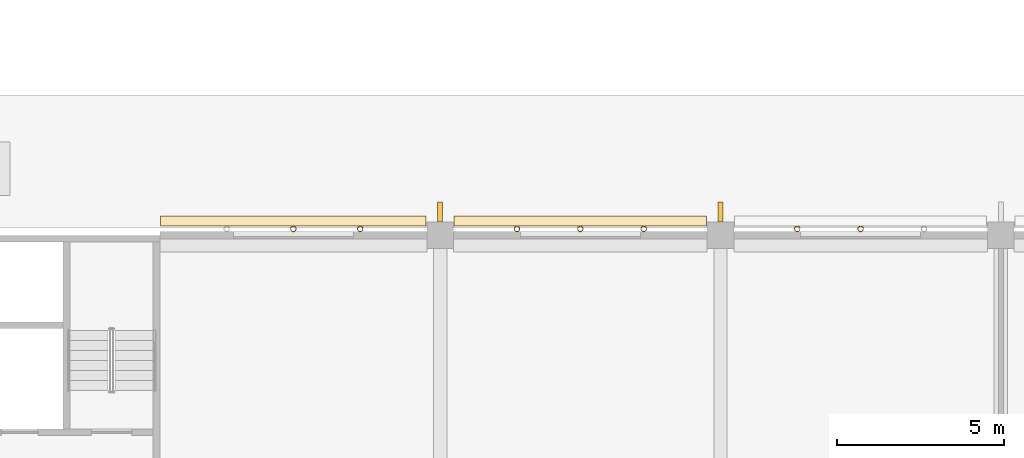
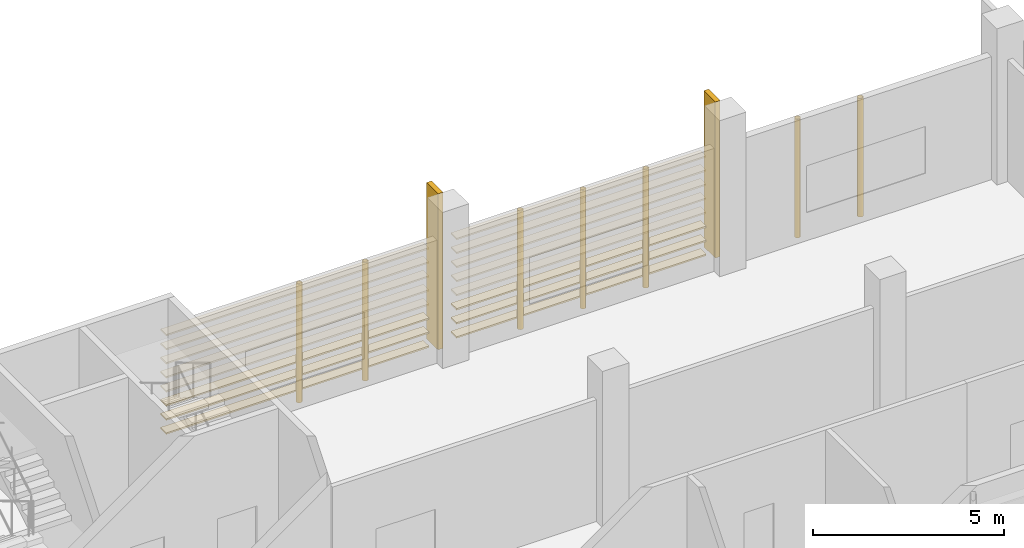
# One storey, part 70 of 101: 16 coverings, 9 shading devices.
"""IFC4 building model written with IfcOpenShell, lengths in metres."""

from ifc_helpers import new_model, si_unit, direction, frame, origin, origin_2d, place, context, subcontext, project, spatial, rectangle, hollow_circle, extrude, material, material_profile, profile_set, type_object, element, save


model = new_model("IFC4")

# Units and contexts
model_context = context("Model", 3, precision=1e-05, world=origin(), true_north=direction((0.0, 1.0)))
body_context = subcontext(model_context, "Body", "Model", "MODEL_VIEW")
ifc_project = project(units=[si_unit("LENGTHUNIT", "METRE"), si_unit("AREAUNIT", "SQUARE_METRE"), si_unit("VOLUMEUNIT", "CUBIC_METRE"), si_unit("PLANEANGLEUNIT", "RADIAN"), si_unit("MASSUNIT", "GRAM", prefix="KILO")], contexts=[model_context])

# Site, building, storey
site_placement = place(None, origin())
site = spatial("IfcSite", under=ifc_project, at=site_placement, CompositionType="ELEMENT")
building_placement = place(site_placement, origin())
building = spatial("IfcBuilding", under=site, at=building_placement, Name="Almond Square Museum", CompositionType="ELEMENT")
storey_placement = place(building_placement, frame((0.0, 0.0, 5.5)))
storey = spatial("IfcBuildingStorey", under=building, at=storey_placement, Name="L01", CompositionType="ELEMENT", Elevation=5.5)

# Shading devices
ifc_material_1 = material(Name="Structural steel S355", Category="steel")
ifc_material_profile_1 = material_profile(ifc_material_1, hollow_circle(Radius=0.084228515625, WallThickness=0.008056640625, at=origin_2d()))
ifc_profile_set_1 = profile_set([ifc_material_profile_1], Name="Structural steel S355")
shading_device_type_1 = type_object("IfcShadingDeviceType", Name="Louvre post CHS 168.3 x 8", PredefinedType="USERDEFINED", material=ifc_profile_set_1)
for number, where, z_axis, x_axis, name in (
    (1, (83.89990234375, 16.994140625, 0.0), (0.0, 0.0, 1.0), (1.0, 0.0, 0.0), "Louvre screen post"),
    (2, (85.800048828125, 16.994140625, 0.0), (0.0, 0.0, 1.0), (1.0, 0.0, 0.0), "Louvre screen post"),
    (3, (75.5, 16.994140625, 0.0), (0.0, 0.0, 1.0), (1.0, 0.0, 0.0), "Louvre screen post"),
    (4, (77.39990234375, 16.994140625, 0.0), (0.0, 0.0, 1.0), (1.0, 0.0, 0.0), "Louvre screen post"),
    (5, (79.300048828125, 16.994140625, 0.0), (0.0, 0.0, 1.0), (1.0, 0.0, 0.0), "Louvre screen post"),
    (6, (68.800048828125, 16.994140625, 0.0), (0.0, 0.0, 1.0), (1.0, 0.0, 0.0), "Louvre screen post"),
    (7, (70.800048828125, 16.994140625, 0.0), (0.0, 0.0, 1.0), (1.0, 0.0, 0.0), "Louvre screen post"),
):
    element("IfcShadingDevice", number, at=place(storey_placement, frame(where, z_axis=z_axis, x_axis=x_axis)), inside=storey, type_object=shading_device_type_1, Name=name, ObjectType="POST", PredefinedType="USERDEFINED", context=body_context, shape_type="SweptSolid", body=[
        extrude(hollow_circle(Radius=0.084228515625, WallThickness=0.008056640625, at=origin_2d()), origin(), (0.0, 0.0, 1.0), 3.800048828125),
    ])

# Coverings
ifc_material_2 = material(Name="Cedar timber louvre board", Category="wood")
ifc_material_profile_2 = material_profile(ifc_material_2, rectangle(XDim=0.300048828125, YDim=0.050048828125, at=origin_2d()))
ifc_profile_set_2 = profile_set([ifc_material_profile_2], Name="Cedar timber louvre board")
covering_type = type_object("IfcCoveringType", Name="Louvre screen board 300 x 50", PredefinedType="CLADDING", material=ifc_profile_set_2)
for number, where, z_axis, x_axis, name in (
    (8, (73.6201171875, 17.224365234375, 0.300048828125), (1.0, 0.0, 0.0), (0.0, 1.0, 0.0), "Louvre screen board"),
    (9, (73.6201171875, 17.224365234375, 0.75), (1.0, 0.0, 0.0), (0.0, 1.0, 0.0), "Louvre screen board"),
    (10, (73.6201171875, 17.224365234375, 1.199951171875), (1.0, 0.0, 0.0), (0.0, 1.0, 0.0), "Louvre screen board"),
    (11, (73.6201171875, 17.224365234375, 1.64990234375), (1.0, 0.0, 0.0), (0.0, 1.0, 0.0), "Louvre screen board"),
    (12, (73.6201171875, 17.224365234375, 2.10009765625), (1.0, 0.0, 0.0), (0.0, 1.0, 0.0), "Louvre screen board"),
    (13, (73.6201171875, 17.224365234375, 2.550048828125), (1.0, 0.0, 0.0), (0.0, 1.0, 0.0), "Louvre screen board"),
    (14, (73.6201171875, 17.224365234375, 3.0), (1.0, 0.0, 0.0), (0.0, 1.0, 0.0), "Louvre screen board"),
    (15, (73.6201171875, 17.224365234375, 3.449951171875), (1.0, 0.0, 0.0), (0.0, 1.0, 0.0), "Louvre screen board"),
):
    element("IfcCovering", number, at=place(storey_placement, frame(where, z_axis=z_axis, x_axis=x_axis)), inside=storey, type_object=covering_type, Name=name, PredefinedType="CLADDING", context=body_context, shape_type="SweptSolid", body=[
        extrude(rectangle(XDim=0.300048828125, YDim=0.050048828125, at=origin_2d()), origin(), (0.0, 0.0, 1.0), 7.559814453125),
    ])
for number, where, z_axis, x_axis, name in (
    (16, (64.820068359375, 17.224365234375, 0.300048828125), (1.0, 0.0, 0.0), (0.0, 1.0, 0.0), "Louvre screen board"),
    (17, (64.820068359375, 17.224365234375, 0.75), (1.0, 0.0, 0.0), (0.0, 1.0, 0.0), "Louvre screen board"),
    (18, (64.820068359375, 17.224365234375, 1.199951171875), (1.0, 0.0, 0.0), (0.0, 1.0, 0.0), "Louvre screen board"),
    (19, (64.820068359375, 17.224365234375, 1.64990234375), (1.0, 0.0, 0.0), (0.0, 1.0, 0.0), "Louvre screen board"),
    (20, (64.820068359375, 17.224365234375, 2.10009765625), (1.0, 0.0, 0.0), (0.0, 1.0, 0.0), "Louvre screen board"),
    (21, (64.820068359375, 17.224365234375, 2.550048828125), (1.0, 0.0, 0.0), (0.0, 1.0, 0.0), "Louvre screen board"),
    (22, (64.820068359375, 17.224365234375, 3.0), (1.0, 0.0, 0.0), (0.0, 1.0, 0.0), "Louvre screen board"),
    (23, (64.820068359375, 17.224365234375, 3.449951171875), (1.0, 0.0, 0.0), (0.0, 1.0, 0.0), "Louvre screen board"),
):
    element("IfcCovering", number, at=place(storey_placement, frame(where, z_axis=z_axis, x_axis=x_axis)), inside=storey, type_object=covering_type, Name=name, PredefinedType="CLADDING", context=body_context, shape_type="SweptSolid", body=[
        extrude(rectangle(XDim=0.300048828125, YDim=0.050048828125, at=origin_2d()), origin(), (0.0, 0.0, 1.0), 7.9599609375),
    ])

# Shading devices
ifc_material_3 = material(Name="Cedar timber fin", Category="wood")
shading_device_type_2 = type_object("IfcShadingDeviceType", Name="Timber storm fin 150 x 600", PredefinedType="USERDEFINED", material=ifc_material_3)
for number, where, z_axis, x_axis, name in (
    (24, (73.199951171875, 17.5, 0.0), (0.0, 0.0, 1.0), (1.0, 0.0, 0.0), "Timber storm fin"),
    (25, (81.60009765625, 17.5, 0.0), (0.0, 0.0, 1.0), (1.0, 0.0, 0.0), "Timber storm fin"),
):
    element("IfcShadingDevice", number, at=place(storey_placement, frame(where, z_axis=z_axis, x_axis=x_axis)), inside=storey, type_object=shading_device_type_2, Name=name, ObjectType="FIN", PredefinedType="USERDEFINED", context=body_context, shape_type="SweptSolid", body=[
        extrude(rectangle(XDim=0.14990234375, YDim=0.60009765625, at=origin_2d()), origin(), (0.0, 0.0, 1.0), 5.0),
    ])

save(model, "model.ifc")
